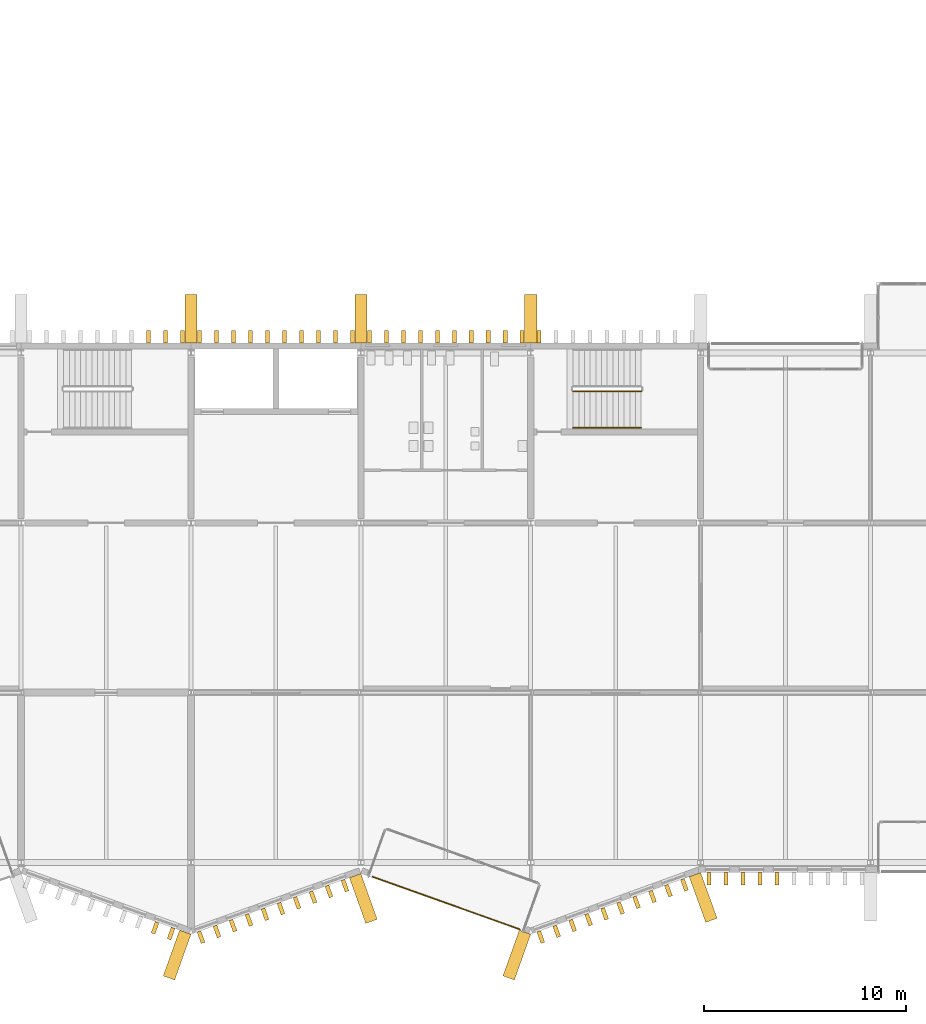
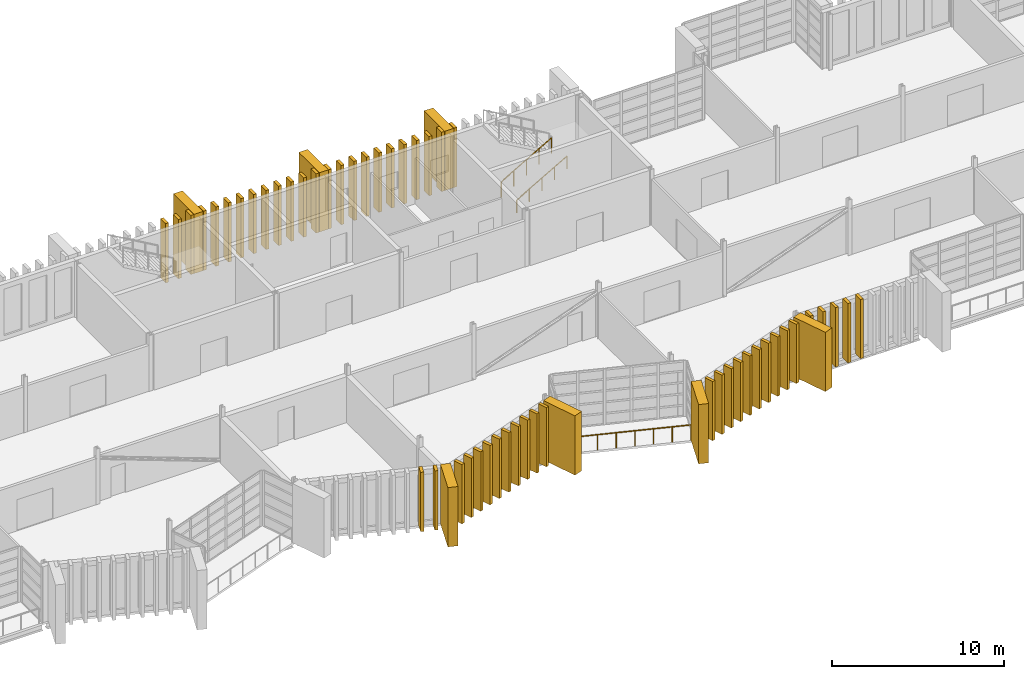
# One storey, part 77 of 88: 58 coverings, 3 railings.
"""IFC4 building model written with IfcOpenShell, lengths in metres."""

from ifc_helpers import new_model, si_unit, direction, frame, origin, origin_2d, place, context, subcontext, project, spatial, rectangle, circle, extrude, material, type_object, element, save


model = new_model("IFC4")

# Units and contexts
model_context = context("Model", 3, precision=1e-05, world=origin(), true_north=direction((0.0, 1.0)))
body_context = subcontext(model_context, "Body", "Model", "MODEL_VIEW")
ifc_project = project(units=[si_unit("LENGTHUNIT", "METRE"), si_unit("AREAUNIT", "SQUARE_METRE"), si_unit("VOLUMEUNIT", "CUBIC_METRE"), si_unit("PLANEANGLEUNIT", "RADIAN"), si_unit("MASSUNIT", "GRAM", prefix="KILO")], contexts=[model_context])

# Site, building, storey
site_placement = place(None, origin())
site = spatial("IfcSite", under=ifc_project, at=site_placement, CompositionType="ELEMENT")
building_placement = place(site_placement, origin())
building = spatial("IfcBuilding", under=site, at=building_placement, Name="Cresset Court Congress Hotel", CompositionType="ELEMENT")
storey_placement = place(building_placement, frame((0.0, 0.0, 14.39990234375)))
storey = spatial("IfcBuildingStorey", under=building, at=storey_placement, Name="L03", CompositionType="ELEMENT", Elevation=14.39990234375)

# Railings
ifc_material_1 = material(Name="Steel and laminated glass", Category="steel")
railing_type_1 = type_object("IfcRailingType", Name="Guard 1100 steel and glass", PredefinedType="GUARDRAIL", material=ifc_material_1)
railing_1_placement = place(storey_placement, frame((60.89990234375, 23.300048828125, 0.16162109375)))
element("IfcRailing", 1, at=railing_1_placement, inside=storey, type_object=railing_type_1, Name="L03 ST-B3 stair guard 1", PredefinedType="GUARDRAIL", context=body_context, shape_type="SweptSolid", body=[
    extrude(circle(Radius=0.02392578125, at=origin_2d()), frame((0.0, 0.0, 1.076171875), z_axis=(0.866190824863, 0.0, 0.499713372768), x_axis=(0.0, 1.0, 0.0)), (0.0, 0.0, 1.0), 3.879150390625),
    extrude(circle(Radius=0.02099609375, at=origin_2d()), origin(), (0.0, 0.0, 1.0), 1.052001953125),
    extrude(circle(Radius=0.02099609375, at=origin_2d()), frame((0.840087890625, 0.0, 0.484619140625)), (0.0, 0.0, 1.0), 1.052001953125),
    extrude(circle(Radius=0.02099609375, at=origin_2d()), frame((1.68017578125, 0.0, 0.96923828125)), (0.0, 0.0, 1.0), 1.052001953125),
    extrude(circle(Radius=0.02099609375, at=origin_2d()), frame((2.52001953125, 0.0, 1.453857421875)), (0.0, 0.0, 1.0), 1.052001953125),
    extrude(circle(Radius=0.02099609375, at=origin_2d()), frame((3.360107421875, 0.0, 1.9384765625)), (0.0, 0.0, 1.0), 1.052001953125),
])
ifc_material_2 = material(Name="Steel and laminated glass", Category="steel")
railing_type_2 = type_object("IfcRailingType", Name="Guard 1100 steel and glass external", PredefinedType="GUARDRAIL", material=ifc_material_2)
railing_2_placement = place(storey_placement, frame((50.98193359375, -0.704833984375, 0.0)))
element("IfcRailing", 2, at=railing_2_placement, inside=storey, type_object=railing_type_2, Name="Guard to recess S0308", PredefinedType="GUARDRAIL", context=body_context, shape_type="SweptSolid", body=[
    extrude(circle(Radius=0.02392578125, at=origin_2d()), frame((0.0, 0.0, 1.076171875), z_axis=(0.941748351249, -0.336318365422, 0.0), x_axis=(0.336318365422, 0.941748351249, 0.0)), (0.0, 0.0, 1.0), 7.719482421875),
    extrude(circle(Radius=0.02099609375, at=origin_2d()), origin(), (0.0, 0.0, 1.0), 1.052001953125),
    extrude(circle(Radius=0.02099609375, at=origin_2d()), frame((1.03857421875, -0.370849609375, 0.0)), (0.0, 0.0, 1.0), 1.052001953125),
    extrude(circle(Radius=0.02099609375, at=origin_2d()), frame((2.0771484375, -0.74169921875, 0.0)), (0.0, 0.0, 1.0), 1.052001953125),
    extrude(circle(Radius=0.02099609375, at=origin_2d()), frame((3.11572265625, -1.112548828125, 0.0)), (0.0, 0.0, 1.0), 1.052001953125),
    extrude(circle(Radius=0.02099609375, at=origin_2d()), frame((4.154052734375, -1.483642578125, 0.0)), (0.0, 0.0, 1.0), 1.052001953125),
    extrude(circle(Radius=0.02099609375, at=origin_2d()), frame((5.192626953125, -1.8544921875, 0.0)), (0.0, 0.0, 1.0), 1.052001953125),
    extrude(circle(Radius=0.02099609375, at=origin_2d()), frame((6.231201171875, -2.225341796875, 0.0)), (0.0, 0.0, 1.0), 1.052001953125),
    extrude(circle(Radius=0.02099609375, at=origin_2d()), frame((7.269775390625, -2.59619140625, 0.0)), (0.0, 0.0, 1.0), 1.052001953125),
])
ifc_material_3 = material(Name="Stainless steel", Category="steel")
railing_type_3 = type_object("IfcRailingType", Name="Handrail 48 stainless", PredefinedType="HANDRAIL", material=ifc_material_3)
railing_3_placement = place(storey_placement, frame((60.89990234375, 21.5, 0.16162109375)))
element("IfcRailing", 3, at=railing_3_placement, inside=storey, type_object=railing_type_3, Name="L03 ST-B3 stair handrail 1", PredefinedType="HANDRAIL", context=body_context, shape_type="SweptSolid", body=[
    extrude(circle(Radius=0.02392578125, at=origin_2d()), frame((0.0, 0.0, 0.8759765625), z_axis=(0.866190824863, 0.0, 0.499713372768), x_axis=(0.0, 1.0, 0.0)), (0.0, 0.0, 1.0), 3.879150390625),
    extrude(circle(Radius=0.02099609375, at=origin_2d()), origin(), (0.0, 0.0, 1.0), 0.851806640625),
    extrude(circle(Radius=0.02099609375, at=origin_2d()), frame((0.840087890625, 0.0, 0.484619140625)), (0.0, 0.0, 1.0), 0.851806640625),
    extrude(circle(Radius=0.02099609375, at=origin_2d()), frame((1.68017578125, 0.0, 0.96923828125)), (0.0, 0.0, 1.0), 0.851806640625),
    extrude(circle(Radius=0.02099609375, at=origin_2d()), frame((2.52001953125, 0.0, 1.453857421875)), (0.0, 0.0, 1.0), 0.851806640625),
    extrude(circle(Radius=0.02099609375, at=origin_2d()), frame((3.360107421875, 0.0, 1.9384765625)), (0.0, 0.0, 1.0), 0.851806640625),
])

# Coverings
ifc_material_4 = material(Name="Precast concrete C50", Category="concrete")
covering_type_1 = type_object("IfcCoveringType", Name="Precast stone fin 200x600 variant 1", PredefinedType="CLADDING", material=ifc_material_4)
for number, where, z_axis, x_axis, name in (
    (4, (40.22314453125, -3.23388671875, 0.0), (0.0, 0.0, 1.0), (0.94174205282, -0.336336001568, 0.0), "Fin S03-038"),
    (5, (41.01416015625, -3.5166015625, 0.0), (0.0, 0.0, 1.0), (0.94174205282, -0.336336001568, 0.0), "Fin S03-039"),
    (6, (42.496337890625, -3.691162109375, 0.0), (0.0, 0.0, 1.0), (0.94174205282, 0.336336001568, 0.0), "Fin S03-040"),
    (7, (43.28759765625, -3.40869140625, 0.0), (0.0, 0.0, 1.0), (0.94174205282, 0.336336001568, 0.0), "Fin S03-041"),
    (8, (44.07861328125, -3.126220703125, 0.0), (0.0, 0.0, 1.0), (0.94174205282, 0.336336001568, 0.0), "Fin S03-042"),
    (9, (44.86962890625, -2.84375, 0.0), (0.0, 0.0, 1.0), (0.94174205282, 0.336336001568, 0.0), "Fin S03-043"),
    (10, (45.66064453125, -2.561279296875, 0.0), (0.0, 0.0, 1.0), (0.94174205282, 0.336336001568, 0.0), "Fin S03-044"),
    (11, (46.45166015625, -2.278564453125, 0.0), (0.0, 0.0, 1.0), (0.94174205282, 0.336336001568, 0.0), "Fin S03-045"),
    (12, (47.242919921875, -1.99609375, 0.0), (0.0, 0.0, 1.0), (0.94174205282, 0.336336001568, 0.0), "Fin S03-046"),
    (13, (48.033935546875, -1.713623046875, 0.0), (0.0, 0.0, 1.0), (0.94174205282, 0.336336001568, 0.0), "Fin S03-047"),
    (14, (48.824951171875, -1.43115234375, 0.0), (0.0, 0.0, 1.0), (0.94174205282, 0.336336001568, 0.0), "Fin S03-048"),
    (15, (49.615966796875, -1.1484375, 0.0), (0.0, 0.0, 1.0), (0.94174205282, 0.336336001568, 0.0), "Fin S03-049"),
    (16, (59.297119140625, -3.688720703125, 0.0), (0.0, 0.0, 1.0), (0.939956783309, 0.341293488819, 0.0), "Fin S03-060"),
    (17, (60.086669921875, -3.40185546875, 0.0), (0.0, 0.0, 1.0), (0.939956783309, 0.341293488819, 0.0), "Fin S03-061"),
    (18, (60.876220703125, -3.115234375, 0.0), (0.0, 0.0, 1.0), (0.939956783309, 0.341293488819, 0.0), "Fin S03-062"),
    (19, (61.665771484375, -2.82861328125, 0.0), (0.0, 0.0, 1.0), (0.939956783309, 0.341293488819, 0.0), "Fin S03-063"),
    (20, (62.455322265625, -2.5419921875, 0.0), (0.0, 0.0, 1.0), (0.939956783309, 0.341293488819, 0.0), "Fin S03-064"),
    (21, (63.244873046875, -2.255126953125, 0.0), (0.0, 0.0, 1.0), (0.939956783309, 0.341293488819, 0.0), "Fin S03-065"),
    (22, (64.03466796875, -1.968505859375, 0.0), (0.0, 0.0, 1.0), (0.939956783309, 0.341293488819, 0.0), "Fin S03-066"),
    (23, (64.82421875, -1.681884765625, 0.0), (0.0, 0.0, 1.0), (0.939956783309, 0.341293488819, 0.0), "Fin S03-067"),
    (24, (65.61376953125, -1.395263671875, 0.0), (0.0, 0.0, 1.0), (0.939956783309, 0.341293488819, 0.0), "Fin S03-068"),
    (25, (66.4033203125, -1.1083984375, 0.0), (0.0, 0.0, 1.0), (0.939956783309, 0.341293488819, 0.0), "Fin S03-069"),
    (26, (67.6201171875, -0.800048828125, 0.0), (0.0, 0.0, 1.0), (1.0, 0.0, 0.0), "Fin S03-070"),
    (27, (68.4599609375, -0.800048828125, 0.0), (0.0, 0.0, 1.0), (1.0, 0.0, 0.0), "Fin S03-071"),
    (28, (69.300048828125, -0.800048828125, 0.0), (0.0, 0.0, 1.0), (1.0, 0.0, 0.0), "Fin S03-072"),
    (29, (70.139892578125, -0.800048828125, 0.0), (0.0, 0.0, 1.0), (1.0, 0.0, 0.0), "Fin S03-073"),
    (30, (70.97998046875, -0.800048828125, 0.0), (0.0, 0.0, 1.0), (1.0, 0.0, 0.0), "Fin S03-074"),
    (31, (39.89990234375, 26.0, 0.0), (0.0, 0.0, 1.0), (1.0, 0.0, 0.0), "Fin N03-037"),
    (32, (40.739990234375, 26.0, 0.0), (0.0, 0.0, 1.0), (1.0, 0.0, 0.0), "Fin N03-038"),
    (33, (41.580078125, 26.0, 0.0), (0.0, 0.0, 1.0), (1.0, 0.0, 0.0), "Fin N03-039"),
    (34, (42.419921875, 26.0, 0.0), (0.0, 0.0, 1.0), (1.0, 0.0, 0.0), "Fin N03-040"),
    (35, (43.260009765625, 26.0, 0.0), (0.0, 0.0, 1.0), (1.0, 0.0, 0.0), "Fin N03-041"),
    (36, (44.10009765625, 26.0, 0.0), (0.0, 0.0, 1.0), (1.0, 0.0, 0.0), "Fin N03-042"),
    (37, (44.93994140625, 26.0, 0.0), (0.0, 0.0, 1.0), (1.0, 0.0, 0.0), "Fin N03-043"),
    (38, (45.780029296875, 26.0, 0.0), (0.0, 0.0, 1.0), (1.0, 0.0, 0.0), "Fin N03-044"),
    (39, (46.6201171875, 26.0, 0.0), (0.0, 0.0, 1.0), (1.0, 0.0, 0.0), "Fin N03-045"),
    (40, (47.4599609375, 26.0, 0.0), (0.0, 0.0, 1.0), (1.0, 0.0, 0.0), "Fin N03-046"),
    (41, (48.300048828125, 26.0, 0.0), (0.0, 0.0, 1.0), (1.0, 0.0, 0.0), "Fin N03-047"),
    (42, (49.139892578125, 26.0, 0.0), (0.0, 0.0, 1.0), (1.0, 0.0, 0.0), "Fin N03-048"),
    (43, (49.97998046875, 26.0, 0.0), (0.0, 0.0, 1.0), (1.0, 0.0, 0.0), "Fin N03-049"),
    (44, (50.820068359375, 26.0, 0.0), (0.0, 0.0, 1.0), (1.0, 0.0, 0.0), "Fin N03-050"),
    (45, (51.659912109375, 26.0, 0.0), (0.0, 0.0, 1.0), (1.0, 0.0, 0.0), "Fin N03-051"),
    (46, (52.5, 26.0, 0.0), (0.0, 0.0, 1.0), (1.0, 0.0, 0.0), "Fin N03-052"),
    (47, (53.340087890625, 26.0, 0.0), (0.0, 0.0, 1.0), (1.0, 0.0, 0.0), "Fin N03-053"),
    (48, (54.179931640625, 26.0, 0.0), (0.0, 0.0, 1.0), (1.0, 0.0, 0.0), "Fin N03-054"),
    (49, (55.02001953125, 26.0, 0.0), (0.0, 0.0, 1.0), (1.0, 0.0, 0.0), "Fin N03-055"),
    (50, (55.860107421875, 26.0, 0.0), (0.0, 0.0, 1.0), (1.0, 0.0, 0.0), "Fin N03-056"),
    (51, (56.699951171875, 26.0, 0.0), (0.0, 0.0, 1.0), (1.0, 0.0, 0.0), "Fin N03-057"),
    (52, (57.5400390625, 26.0, 0.0), (0.0, 0.0, 1.0), (1.0, 0.0, 0.0), "Fin N03-058"),
    (53, (58.3798828125, 26.0, 0.0), (0.0, 0.0, 1.0), (1.0, 0.0, 0.0), "Fin N03-059"),
    (54, (59.219970703125, 26.0, 0.0), (0.0, 0.0, 1.0), (1.0, 0.0, 0.0), "Fin N03-060"),
):
    element("IfcCovering", number, at=place(storey_placement, frame(where, z_axis=z_axis, x_axis=x_axis)), inside=storey, type_object=covering_type_1, Name=name, PredefinedType="CLADDING", context=body_context, shape_type="SweptSolid", body=[
        extrude(rectangle(XDim=0.199951171875, YDim=0.60009765625, at=origin_2d()), origin(), (0.0, 0.0, 1.0), 4.199951171875),
    ])
ifc_material_5 = material(Name="Precast concrete C50", Category="concrete")
covering_type_2 = type_object("IfcCoveringType", Name="Precast stone pier 600x2400", PredefinedType="CLADDING", material=ifc_material_5)
for number, where, z_axis, x_axis, name in (
    (55, (41.31396484375, -4.5791015625, 0.0), (0.0, 0.0, 1.0), (0.94174205282, -0.336336001568, 0.0), "Pier S03-04"),
    (56, (50.52099609375, -1.781005859375, 0.0), (0.0, 0.0, 1.0), (0.94174205282, 0.336336001568, 0.0), "Pier S03-05"),
    (57, (58.11376953125, -4.5791015625, 0.0), (0.0, 0.0, 1.0), (0.94174205282, -0.336336001568, 0.0), "Pier S03-06"),
    (58, (67.32763671875, -1.730224609375, 0.0), (0.0, 0.0, 1.0), (0.939956783309, 0.341293488819, 0.0), "Pier S03-07"),
    (59, (42.0, 26.89990234375, 0.0), (0.0, 0.0, 1.0), (1.0, 0.0, 0.0), "Pier N03-04"),
    (60, (50.39990234375, 26.89990234375, 0.0), (0.0, 0.0, 1.0), (1.0, 0.0, 0.0), "Pier N03-05"),
    (61, (58.800048828125, 26.89990234375, 0.0), (0.0, 0.0, 1.0), (1.0, 0.0, 0.0), "Pier N03-06"),
):
    element("IfcCovering", number, at=place(storey_placement, frame(where, z_axis=z_axis, x_axis=x_axis)), inside=storey, type_object=covering_type_2, Name=name, PredefinedType="CLADDING", context=body_context, shape_type="SweptSolid", body=[
        extrude(rectangle(XDim=0.60009765625, YDim=2.39990234375, at=origin_2d()), origin(), (0.0, 0.0, 1.0), 4.199951171875),
    ])

save(model, "model.ifc")
